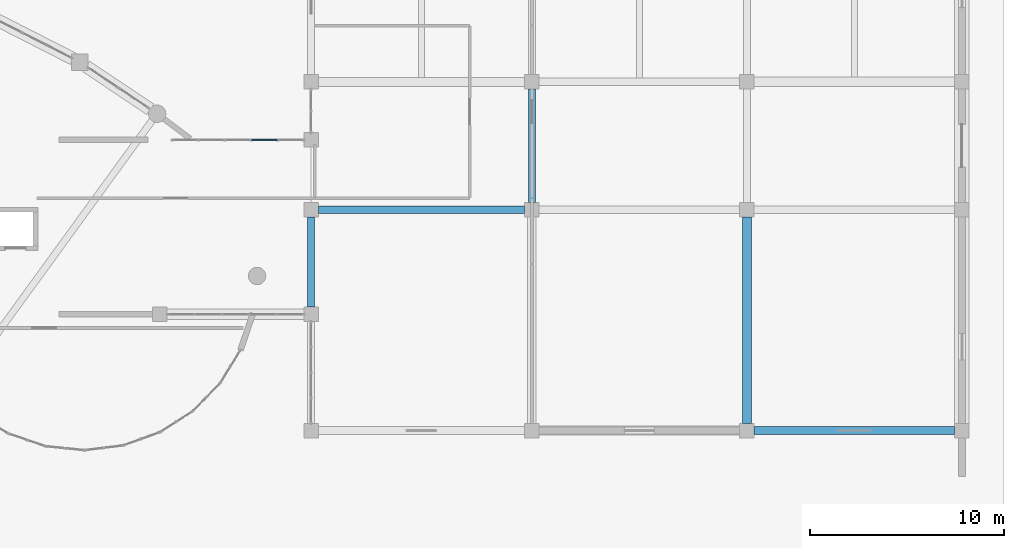
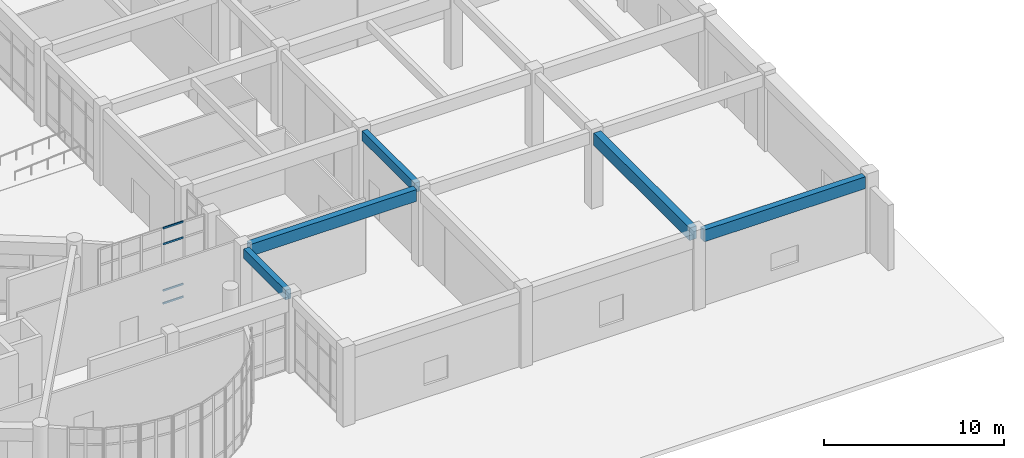
# One storey, part 25 of 70: 5 beams, 4 members, 1 element without a shape of its own.
"""IFC4 building model written with IfcOpenShell, lengths in metres."""

from ifc_helpers import new_model, si_unit, direction, frame, origin, origin_2d, place, context, subcontext, project, spatial, rectangle, extrude, material, layer, layer_set, material_profile, profile_set, type_object, element, aggregate, save


model = new_model("IFC4")

# Units and contexts
model_context = context("Model", 3, precision=1e-05, world=origin(), true_north=direction((0.0, 1.0)))
body_context = subcontext(model_context, "Body", "Model", "MODEL_VIEW")
ifc_project = project(units=[si_unit("LENGTHUNIT", "METRE"), si_unit("AREAUNIT", "SQUARE_METRE"), si_unit("VOLUMEUNIT", "CUBIC_METRE"), si_unit("PLANEANGLEUNIT", "RADIAN"), si_unit("MASSUNIT", "GRAM", prefix="KILO")], contexts=[model_context])

# Site, building, storey
site_placement = place(None, origin())
site = spatial("IfcSite", under=ifc_project, at=site_placement, CompositionType="ELEMENT")
building_placement = place(site_placement, origin())
building = spatial("IfcBuilding", under=site, at=building_placement, Name="Miralva Faculty of Natural Sciences", CompositionType="ELEMENT")
storey_placement = place(building_placement, origin())
storey = spatial("IfcBuildingStorey", under=building, at=storey_placement, Name="L00", CompositionType="ELEMENT", Elevation=0.0)

# Beams
ifc_material_1 = material(Name="Concrete C40/50", Category="concrete")
ifc_material_profile_1 = material_profile(ifc_material_1, rectangle(XDim=0.449951171875, YDim=0.85009765625, at=origin_2d()), Name="RC 450x850")
ifc_profile_set_1 = profile_set([ifc_material_profile_1], Name="Concrete C40/50")
beam_type_1 = type_object("IfcBeamType", Name="BM-B01", PredefinedType="BEAM", material=ifc_profile_set_1)
beam_1_placement = place(storey_placement, frame((156.300048828125, 12.375, 4.695068359375), z_axis=(0.0, 1.0, 0.0), x_axis=(-1.0, 0.0, 0.0)))
element("IfcBeam", 1, at=beam_1_placement, inside=storey, type_object=beam_type_1, Name="Girder NS L00-199", PredefinedType="BEAM", context=body_context, shape_type="SweptSolid", body=[
    extrude(rectangle(XDim=0.449951171875, YDim=0.85009765625, at=origin_2d()), origin(), (0.0, 0.0, 1.0), 10.64990234375),
])
ifc_material_profile_2 = material_profile(ifc_material_1, rectangle(XDim=0.39990234375, YDim=0.800048828125, at=origin_2d()), Name="RC 400x800")
ifc_profile_set_2 = profile_set([ifc_material_profile_2], Name="Concrete C40/50")
beam_type_2 = type_object("IfcBeamType", Name="BM-B02", PredefinedType="BEAM", material=ifc_profile_set_2)
beam_2_placement = place(storey_placement, frame((156.675048828125, 12.0, 4.719970703125), z_axis=(1.0, 0.0, 0.0), x_axis=(0.0, 1.0, 0.0)))
element("IfcBeam", 2, at=beam_2_placement, inside=storey, type_object=beam_type_2, Name="Girder EW L00-18", PredefinedType="BEAM", context=body_context, shape_type="SweptSolid", body=[
    extrude(rectangle(XDim=0.39990234375, YDim=0.800048828125, at=origin_2d()), origin(), (0.0, 0.0, 1.0), 10.349853515625),
])
beam_3_placement = place(storey_placement, frame((134.175048828125, 23.39990234375, 4.719970703125), z_axis=(1.0, 0.0, 0.0), x_axis=(0.0, 1.0, 0.0)))
element("IfcBeam", 3, at=beam_3_placement, inside=storey, type_object=beam_type_2, Name="Girder EW L00-28", PredefinedType="BEAM", context=body_context, shape_type="SweptSolid", body=[
    extrude(rectangle(XDim=0.39990234375, YDim=0.800048828125, at=origin_2d()), origin(), (0.0, 0.0, 1.0), 10.64990234375),
])
ifc_material_profile_3 = material_profile(ifc_material_1, rectangle(XDim=0.35009765625, YDim=0.64990234375, at=origin_2d()), Name="RC 350x650")
ifc_profile_set_3 = profile_set([ifc_material_profile_3], Name="Concrete C40/50")
beam_type_3 = type_object("IfcBeamType", Name="BM-B05", PredefinedType="BEAM", material=ifc_profile_set_3)
beam_4_placement = place(storey_placement, frame((133.800048828125, 18.375, 4.794921875), z_axis=(0.0, 1.0, 0.0), x_axis=(-1.0, 0.0, 0.0)))
element("IfcBeam", 4, at=beam_4_placement, inside=storey, type_object=beam_type_3, Name="Girder NS L00-176", PredefinedType="BEAM", context=body_context, shape_type="SweptSolid", body=[
    extrude(rectangle(XDim=0.35009765625, YDim=0.64990234375, at=origin_2d()), origin(), (0.0, 0.0, 1.0), 4.64990234375),
])
beam_5_placement = place(storey_placement, frame((145.199951171875, 23.77490234375, 4.794921875), z_axis=(0.0, 1.0, 0.0), x_axis=(-1.0, 0.0, 0.0)))
element("IfcBeam", 5, at=beam_5_placement, inside=storey, type_object=beam_type_3, Name="Girder NS L00-188", PredefinedType="BEAM", context=body_context, shape_type="SweptSolid", body=[
    extrude(rectangle(XDim=0.35009765625, YDim=0.64990234375, at=origin_2d()), origin(), (0.0, 0.0, 1.0), 5.85009765625),
])

# Curtain wall, members
ifc_material_2 = material(Name="Laminated solar-control glass", Category="glass")
ifc_layer = layer(ifc_material_2, 0.179931640625, Name="CW-COM-L01")
ifc_layer_set = layer_set([ifc_layer], Name="Laminated solar-control glass")
curtain_wall_type = type_object("IfcCurtainWallType", Name="CW-COM-L01", PredefinedType="USERDEFINED", material=ifc_layer_set)
curtain_wall_placement = place(storey_placement, origin())
curtain_wall = element("IfcCurtainWall", 6, at=curtain_wall_placement, inside=storey, type_object=curtain_wall_type, Name="Curtain wall CW-10 L00-287", ObjectType="UNITISED CURTAIN WALL", PredefinedType="USERDEFINED")
ifc_material_3 = material(Name="Anodised aluminium", Category="aluminium")
ifc_material_profile_4 = material_profile(ifc_material_3, rectangle(XDim=0.06005859375, YDim=0.1201171875, at=origin_2d()), Name="TRANSOM 60x120")
ifc_profile_set_4 = profile_set([ifc_material_profile_4], Name="Anodised aluminium")
member_type = type_object("IfcMemberType", Name="CW-T02", PredefinedType="USERDEFINED", material=ifc_profile_set_4)
member_1_placement = place(storey_placement, frame((130.7451171875, 27.0, 0.030029296875), z_axis=(1.0, 0.0, 0.0), x_axis=(0.0, 1.0, 0.0)))
member_1 = element("IfcMember", 7, at=member_1_placement, type_object=member_type, Name="CW-10 transom 4.1", ObjectType="TRANSOM", PredefinedType="USERDEFINED", context=body_context, shape_type="SweptSolid", body=[
    extrude(rectangle(XDim=0.06005859375, YDim=0.1201171875, at=origin_2d()), origin(), (0.0, 0.0, 1.0), 1.304931640625),
])
member_2_placement = place(storey_placement, frame((130.7451171875, 27.0, 0.89990234375), z_axis=(1.0, 0.0, 0.0), x_axis=(0.0, 1.0, 0.0)))
member_2 = element("IfcMember", 8, at=member_2_placement, type_object=member_type, Name="CW-10 transom 4.2", ObjectType="TRANSOM", PredefinedType="USERDEFINED", context=body_context, shape_type="SweptSolid", body=[
    extrude(rectangle(XDim=0.06005859375, YDim=0.1201171875, at=origin_2d()), origin(), (0.0, 0.0, 1.0), 1.304931640625),
])
member_3_placement = place(storey_placement, frame((130.7451171875, 27.0, 4.050048828125), z_axis=(1.0, 0.0, 0.0), x_axis=(0.0, 1.0, 0.0)))
member_3 = element("IfcMember", 9, at=member_3_placement, type_object=member_type, Name="CW-10 transom 4.3", ObjectType="TRANSOM", PredefinedType="USERDEFINED", context=body_context, shape_type="SweptSolid", body=[
    extrude(rectangle(XDim=0.06005859375, YDim=0.1201171875, at=origin_2d()), origin(), (0.0, 0.0, 1.0), 1.304931640625),
])
member_4_placement = place(storey_placement, frame((130.7451171875, 27.0, 5.1201171875), z_axis=(1.0, 0.0, 0.0), x_axis=(0.0, 1.0, 0.0)))
member_4 = element("IfcMember", 10, at=member_4_placement, type_object=member_type, Name="CW-10 transom 4.4", ObjectType="TRANSOM", PredefinedType="USERDEFINED", context=body_context, shape_type="SweptSolid", body=[
    extrude(rectangle(XDim=0.06005859375, YDim=0.1201171875, at=origin_2d()), origin(), (0.0, 0.0, 1.0), 1.304931640625),
])
aggregate(curtain_wall, [member_1, member_2, member_3, member_4])

save(model, "model.ifc")
